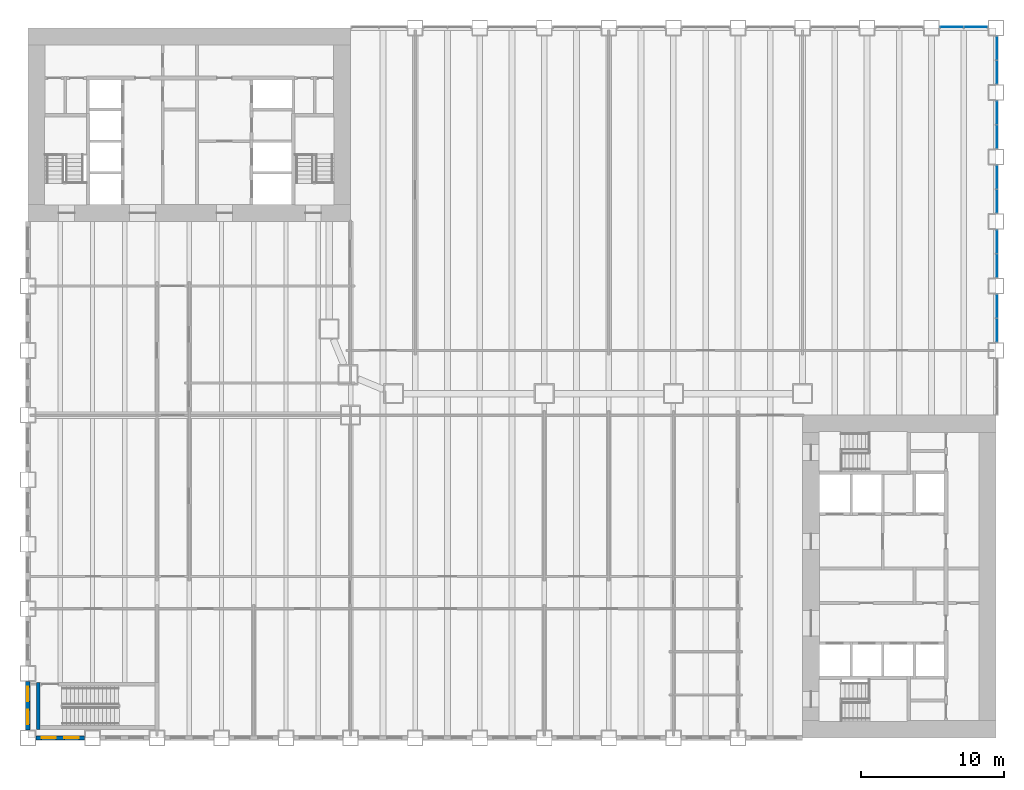
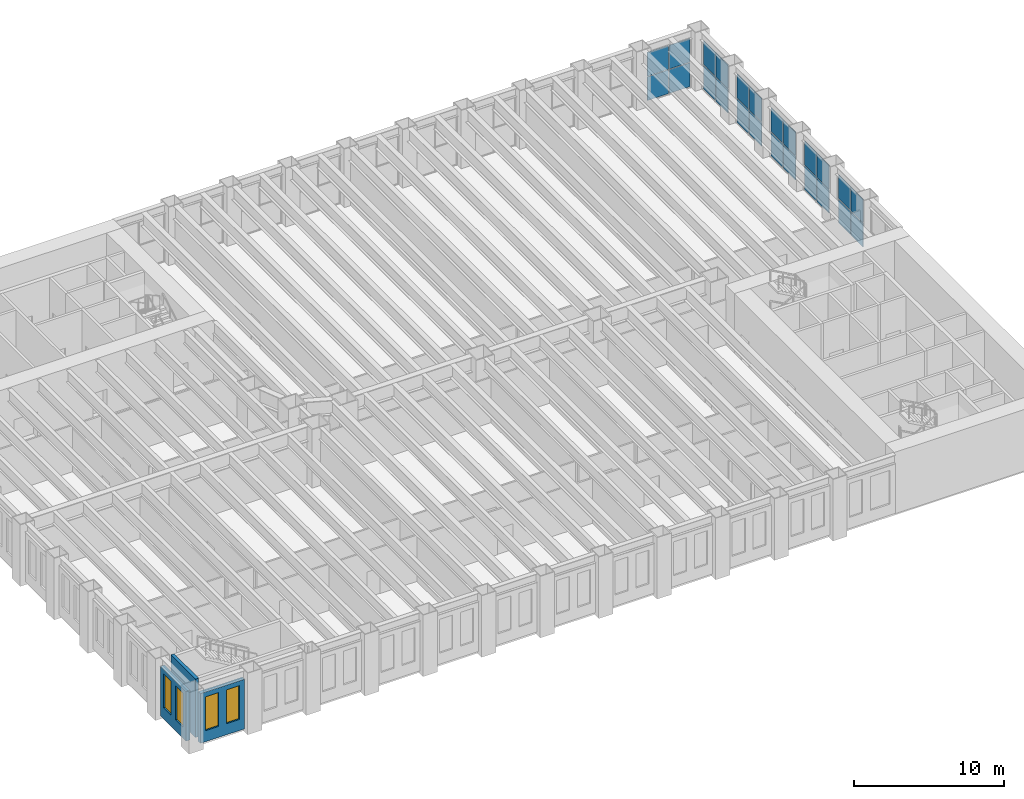
# One storey, part 8 of 19: 24 plates, 4 windows, 3 walls, 4 openings, 6 elements without a shape of their own.
"""IFC4 building model written with IfcOpenShell, lengths in metres."""

from ifc_helpers import new_model, si_unit, direction, frame, frame_2d, origin, origin_2d, place, context, subcontext, project, spatial, rectangle, extrude, material, layer, layer_set, type_object, element, fill, aggregate, save


model = new_model("IFC4")

# Units and contexts
model_context = context("Model", 3, precision=1e-05, world=origin(), true_north=direction((0.0, 1.0)))
body_context = subcontext(model_context, "Body", "Model", "MODEL_VIEW")
ifc_project = project(units=[si_unit("LENGTHUNIT", "METRE"), si_unit("AREAUNIT", "SQUARE_METRE"), si_unit("VOLUMEUNIT", "CUBIC_METRE"), si_unit("PLANEANGLEUNIT", "RADIAN"), si_unit("MASSUNIT", "GRAM", prefix="KILO")], contexts=[model_context])

# Site, building, storey
site_placement = place(None, origin())
site = spatial("IfcSite", under=ifc_project, at=site_placement, CompositionType="ELEMENT")
building_placement = place(site_placement, origin())
building = spatial("IfcBuilding", under=site, at=building_placement, Name="Sennacour Bend Tower", CompositionType="ELEMENT")
storey_placement = place(building_placement, frame((0.0, 0.0, 19.0)))
storey = spatial("IfcBuildingStorey", under=building, at=storey_placement, Name="L03", CompositionType="ELEMENT", Elevation=19.0)

# Curtain wall, plates
ifc_material_1 = material(Name="Bronze anodised aluminium curtain wall with clear glass", Category="aluminium")
curtain_wall_type = type_object("IfcCurtainWallType", Name="CURTAIN WALL NOTCH", PredefinedType="NOTDEFINED", material=ifc_material_1)
curtain_wall_1_placement = place(storey_placement, origin())
curtain_wall_1 = element("IfcCurtainWall", 1, at=curtain_wall_1_placement, inside=storey, type_object=curtain_wall_type, Name="Podium glass wall L03", PredefinedType="NOTDEFINED")
ifc_material_2 = material(Name="Clear low-emissivity glass", Category="glass")
ifc_layer_1 = layer(ifc_material_2, 0.031982421875, Name="Clear low-emissivity glass", Category="glass")
ifc_layer_set_1 = layer_set([ifc_layer_1], Name="Clear low-emissivity glass")
plate_type = type_object("IfcPlateType", Name="PNL-GLASS-IGU32", PredefinedType="CURTAIN_PANEL", material=ifc_layer_set_1)
plate_1_placement = place(storey_placement, frame((67.550048828125, 28.4150390625, 0.06005859375), z_axis=(0.0, 0.0, 1.0), x_axis=(0.0, 1.0, 0.0)))
plate_1 = element("IfcPlate", 2, at=plate_1_placement, type_object=plate_type, Name="GW2 curtain wall panel 1.1", PredefinedType="CURTAIN_PANEL", context=body_context, shape_type="SweptSolid", body=[
    extrude(rectangle(XDim=1.610107421875, YDim=0.031982421875, at=origin_2d()), origin(), (0.0, 0.0, 1.0), 1.927978515625),
])
plate_2_placement = place(storey_placement, frame((67.550048828125, 28.4150390625, 2.0478515625), z_axis=(0.0, 0.0, 1.0), x_axis=(0.0, 1.0, 0.0)))
plate_2 = element("IfcPlate", 3, at=plate_2_placement, type_object=plate_type, Name="GW2 curtain wall panel 1.2", PredefinedType="CURTAIN_PANEL", context=body_context, shape_type="SweptSolid", body=[
    extrude(rectangle(XDim=1.610107421875, YDim=0.031982421875, at=origin_2d()), origin(), (0.0, 0.0, 1.0), 1.927978515625),
])
plate_3_placement = place(storey_placement, frame((67.550048828125, 30.0849609375, 0.06005859375), z_axis=(0.0, 0.0, 1.0), x_axis=(0.0, 1.0, 0.0)))
plate_3 = element("IfcPlate", 4, at=plate_3_placement, type_object=plate_type, Name="GW2 curtain wall panel 2.1", PredefinedType="CURTAIN_PANEL", context=body_context, shape_type="SweptSolid", body=[
    extrude(rectangle(XDim=1.610107421875, YDim=0.031982421875, at=origin_2d()), origin(), (0.0, 0.0, 1.0), 1.927978515625),
])
plate_4_placement = place(storey_placement, frame((67.550048828125, 30.0849609375, 2.0478515625), z_axis=(0.0, 0.0, 1.0), x_axis=(0.0, 1.0, 0.0)))
plate_4 = element("IfcPlate", 5, at=plate_4_placement, type_object=plate_type, Name="GW2 curtain wall panel 2.2", PredefinedType="CURTAIN_PANEL", context=body_context, shape_type="SweptSolid", body=[
    extrude(rectangle(XDim=1.610107421875, YDim=0.031982421875, at=origin_2d()), origin(), (0.0, 0.0, 1.0), 1.927978515625),
])
aggregate(curtain_wall_1, [plate_1, plate_2, plate_3, plate_4])

curtain_wall_2_placement = place(storey_placement, origin())
curtain_wall_2 = element("IfcCurtainWall", 6, at=curtain_wall_2_placement, inside=storey, type_object=curtain_wall_type, Name="Podium glass wall L03", PredefinedType="NOTDEFINED")
plate_5_placement = place(storey_placement, frame((67.550048828125, 32.9150390625, 0.06005859375), z_axis=(0.0, 0.0, 1.0), x_axis=(0.0, 1.0, 0.0)))
plate_5 = element("IfcPlate", 7, at=plate_5_placement, type_object=plate_type, Name="GW2 curtain wall panel 1.1", PredefinedType="CURTAIN_PANEL", context=body_context, shape_type="SweptSolid", body=[
    extrude(rectangle(XDim=1.610107421875, YDim=0.031982421875, at=origin_2d()), origin(), (0.0, 0.0, 1.0), 1.927978515625),
])
plate_6_placement = place(storey_placement, frame((67.550048828125, 32.9150390625, 2.0478515625), z_axis=(0.0, 0.0, 1.0), x_axis=(0.0, 1.0, 0.0)))
plate_6 = element("IfcPlate", 8, at=plate_6_placement, type_object=plate_type, Name="GW2 curtain wall panel 1.2", PredefinedType="CURTAIN_PANEL", context=body_context, shape_type="SweptSolid", body=[
    extrude(rectangle(XDim=1.610107421875, YDim=0.031982421875, at=origin_2d()), origin(), (0.0, 0.0, 1.0), 1.927978515625),
])
plate_7_placement = place(storey_placement, frame((67.550048828125, 34.5849609375, 0.06005859375), z_axis=(0.0, 0.0, 1.0), x_axis=(0.0, 1.0, 0.0)))
plate_7 = element("IfcPlate", 9, at=plate_7_placement, type_object=plate_type, Name="GW2 curtain wall panel 2.1", PredefinedType="CURTAIN_PANEL", context=body_context, shape_type="SweptSolid", body=[
    extrude(rectangle(XDim=1.610107421875, YDim=0.031982421875, at=origin_2d()), origin(), (0.0, 0.0, 1.0), 1.927978515625),
])
plate_8_placement = place(storey_placement, frame((67.550048828125, 34.5849609375, 2.0478515625), z_axis=(0.0, 0.0, 1.0), x_axis=(0.0, 1.0, 0.0)))
plate_8 = element("IfcPlate", 10, at=plate_8_placement, type_object=plate_type, Name="GW2 curtain wall panel 2.2", PredefinedType="CURTAIN_PANEL", context=body_context, shape_type="SweptSolid", body=[
    extrude(rectangle(XDim=1.610107421875, YDim=0.031982421875, at=origin_2d()), origin(), (0.0, 0.0, 1.0), 1.927978515625),
])
aggregate(curtain_wall_2, [plate_5, plate_6, plate_7, plate_8])

curtain_wall_3_placement = place(storey_placement, origin())
curtain_wall_3 = element("IfcCurtainWall", 11, at=curtain_wall_3_placement, inside=storey, type_object=curtain_wall_type, Name="Podium glass wall L03", PredefinedType="NOTDEFINED")
plate_9_placement = place(storey_placement, frame((67.550048828125, 37.4150390625, 0.06005859375), z_axis=(0.0, 0.0, 1.0), x_axis=(0.0, 1.0, 0.0)))
plate_9 = element("IfcPlate", 12, at=plate_9_placement, type_object=plate_type, Name="GW2 curtain wall panel 1.1", PredefinedType="CURTAIN_PANEL", context=body_context, shape_type="SweptSolid", body=[
    extrude(rectangle(XDim=1.610107421875, YDim=0.031982421875, at=origin_2d()), origin(), (0.0, 0.0, 1.0), 1.927978515625),
])
plate_10_placement = place(storey_placement, frame((67.550048828125, 37.4150390625, 2.0478515625), z_axis=(0.0, 0.0, 1.0), x_axis=(0.0, 1.0, 0.0)))
plate_10 = element("IfcPlate", 13, at=plate_10_placement, type_object=plate_type, Name="GW2 curtain wall panel 1.2", PredefinedType="CURTAIN_PANEL", context=body_context, shape_type="SweptSolid", body=[
    extrude(rectangle(XDim=1.610107421875, YDim=0.031982421875, at=origin_2d()), origin(), (0.0, 0.0, 1.0), 1.927978515625),
])
plate_11_placement = place(storey_placement, frame((67.550048828125, 39.0849609375, 0.06005859375), z_axis=(0.0, 0.0, 1.0), x_axis=(0.0, 1.0, 0.0)))
plate_11 = element("IfcPlate", 14, at=plate_11_placement, type_object=plate_type, Name="GW2 curtain wall panel 2.1", PredefinedType="CURTAIN_PANEL", context=body_context, shape_type="SweptSolid", body=[
    extrude(rectangle(XDim=1.610107421875, YDim=0.031982421875, at=origin_2d()), origin(), (0.0, 0.0, 1.0), 1.927978515625),
])
plate_12_placement = place(storey_placement, frame((67.550048828125, 39.0849609375, 2.0478515625), z_axis=(0.0, 0.0, 1.0), x_axis=(0.0, 1.0, 0.0)))
plate_12 = element("IfcPlate", 15, at=plate_12_placement, type_object=plate_type, Name="GW2 curtain wall panel 2.2", PredefinedType="CURTAIN_PANEL", context=body_context, shape_type="SweptSolid", body=[
    extrude(rectangle(XDim=1.610107421875, YDim=0.031982421875, at=origin_2d()), origin(), (0.0, 0.0, 1.0), 1.927978515625),
])
aggregate(curtain_wall_3, [plate_9, plate_10, plate_11, plate_12])

curtain_wall_4_placement = place(storey_placement, origin())
curtain_wall_4 = element("IfcCurtainWall", 16, at=curtain_wall_4_placement, inside=storey, type_object=curtain_wall_type, Name="Podium glass wall L03", PredefinedType="NOTDEFINED")
plate_13_placement = place(storey_placement, frame((67.550048828125, 41.9150390625, 0.06005859375), z_axis=(0.0, 0.0, 1.0), x_axis=(0.0, 1.0, 0.0)))
plate_13 = element("IfcPlate", 17, at=plate_13_placement, type_object=plate_type, Name="GW2 curtain wall panel 1.1", PredefinedType="CURTAIN_PANEL", context=body_context, shape_type="SweptSolid", body=[
    extrude(rectangle(XDim=1.610107421875, YDim=0.031982421875, at=origin_2d()), origin(), (0.0, 0.0, 1.0), 1.927978515625),
])
plate_14_placement = place(storey_placement, frame((67.550048828125, 41.9150390625, 2.0478515625), z_axis=(0.0, 0.0, 1.0), x_axis=(0.0, 1.0, 0.0)))
plate_14 = element("IfcPlate", 18, at=plate_14_placement, type_object=plate_type, Name="GW2 curtain wall panel 1.2", PredefinedType="CURTAIN_PANEL", context=body_context, shape_type="SweptSolid", body=[
    extrude(rectangle(XDim=1.610107421875, YDim=0.031982421875, at=origin_2d()), origin(), (0.0, 0.0, 1.0), 1.927978515625),
])
plate_15_placement = place(storey_placement, frame((67.550048828125, 43.5849609375, 0.06005859375), z_axis=(0.0, 0.0, 1.0), x_axis=(0.0, 1.0, 0.0)))
plate_15 = element("IfcPlate", 19, at=plate_15_placement, type_object=plate_type, Name="GW2 curtain wall panel 2.1", PredefinedType="CURTAIN_PANEL", context=body_context, shape_type="SweptSolid", body=[
    extrude(rectangle(XDim=1.610107421875, YDim=0.031982421875, at=origin_2d()), origin(), (0.0, 0.0, 1.0), 1.927978515625),
])
plate_16_placement = place(storey_placement, frame((67.550048828125, 43.5849609375, 2.0478515625), z_axis=(0.0, 0.0, 1.0), x_axis=(0.0, 1.0, 0.0)))
plate_16 = element("IfcPlate", 20, at=plate_16_placement, type_object=plate_type, Name="GW2 curtain wall panel 2.2", PredefinedType="CURTAIN_PANEL", context=body_context, shape_type="SweptSolid", body=[
    extrude(rectangle(XDim=1.610107421875, YDim=0.031982421875, at=origin_2d()), origin(), (0.0, 0.0, 1.0), 1.927978515625),
])
aggregate(curtain_wall_4, [plate_13, plate_14, plate_15, plate_16])

curtain_wall_5_placement = place(storey_placement, origin())
curtain_wall_5 = element("IfcCurtainWall", 21, at=curtain_wall_5_placement, inside=storey, type_object=curtain_wall_type, Name="Podium glass wall L03", PredefinedType="NOTDEFINED")
plate_17_placement = place(storey_placement, frame((67.550048828125, 46.4150390625, 0.06005859375), z_axis=(0.0, 0.0, 1.0), x_axis=(0.0, 1.0, 0.0)))
plate_17 = element("IfcPlate", 22, at=plate_17_placement, type_object=plate_type, Name="GW2 curtain wall panel 1.1", PredefinedType="CURTAIN_PANEL", context=body_context, shape_type="SweptSolid", body=[
    extrude(rectangle(XDim=1.610107421875, YDim=0.031982421875, at=origin_2d()), origin(), (0.0, 0.0, 1.0), 1.927978515625),
])
plate_18_placement = place(storey_placement, frame((67.550048828125, 46.4150390625, 2.0478515625), z_axis=(0.0, 0.0, 1.0), x_axis=(0.0, 1.0, 0.0)))
plate_18 = element("IfcPlate", 23, at=plate_18_placement, type_object=plate_type, Name="GW2 curtain wall panel 1.2", PredefinedType="CURTAIN_PANEL", context=body_context, shape_type="SweptSolid", body=[
    extrude(rectangle(XDim=1.610107421875, YDim=0.031982421875, at=origin_2d()), origin(), (0.0, 0.0, 1.0), 1.927978515625),
])
plate_19_placement = place(storey_placement, frame((67.550048828125, 48.0849609375, 0.06005859375), z_axis=(0.0, 0.0, 1.0), x_axis=(0.0, 1.0, 0.0)))
plate_19 = element("IfcPlate", 24, at=plate_19_placement, type_object=plate_type, Name="GW2 curtain wall panel 2.1", PredefinedType="CURTAIN_PANEL", context=body_context, shape_type="SweptSolid", body=[
    extrude(rectangle(XDim=1.610107421875, YDim=0.031982421875, at=origin_2d()), origin(), (0.0, 0.0, 1.0), 1.927978515625),
])
plate_20_placement = place(storey_placement, frame((67.550048828125, 48.0849609375, 2.0478515625), z_axis=(0.0, 0.0, 1.0), x_axis=(0.0, 1.0, 0.0)))
plate_20 = element("IfcPlate", 25, at=plate_20_placement, type_object=plate_type, Name="GW2 curtain wall panel 2.2", PredefinedType="CURTAIN_PANEL", context=body_context, shape_type="SweptSolid", body=[
    extrude(rectangle(XDim=1.610107421875, YDim=0.031982421875, at=origin_2d()), origin(), (0.0, 0.0, 1.0), 1.927978515625),
])
aggregate(curtain_wall_5, [plate_17, plate_18, plate_19, plate_20])

curtain_wall_6_placement = place(storey_placement, origin())
curtain_wall_6 = element("IfcCurtainWall", 26, at=curtain_wall_6_placement, inside=storey, type_object=curtain_wall_type, Name="Podium glass wall L03", PredefinedType="NOTDEFINED")
plate_21_placement = place(storey_placement, frame((66.0849609375, 49.550048828125, 0.06005859375), z_axis=(0.0, 0.0, 1.0), x_axis=(-1.0, 0.0, 0.0)))
plate_21 = element("IfcPlate", 27, at=plate_21_placement, type_object=plate_type, Name="GW2 curtain wall panel 1.1", PredefinedType="CURTAIN_PANEL", context=body_context, shape_type="SweptSolid", body=[
    extrude(rectangle(XDim=1.610107421875, YDim=0.031982421875, at=origin_2d()), origin(), (0.0, 0.0, 1.0), 1.927978515625),
])
plate_22_placement = place(storey_placement, frame((66.0849609375, 49.550048828125, 2.0478515625), z_axis=(0.0, 0.0, 1.0), x_axis=(-1.0, 0.0, 0.0)))
plate_22 = element("IfcPlate", 28, at=plate_22_placement, type_object=plate_type, Name="GW2 curtain wall panel 1.2", PredefinedType="CURTAIN_PANEL", context=body_context, shape_type="SweptSolid", body=[
    extrude(rectangle(XDim=1.610107421875, YDim=0.031982421875, at=origin_2d()), origin(), (0.0, 0.0, 1.0), 1.927978515625),
])
plate_23_placement = place(storey_placement, frame((64.4150390625, 49.550048828125, 0.06005859375), z_axis=(0.0, 0.0, 1.0), x_axis=(-1.0, 0.0, 0.0)))
plate_23 = element("IfcPlate", 29, at=plate_23_placement, type_object=plate_type, Name="GW2 curtain wall panel 2.1", PredefinedType="CURTAIN_PANEL", context=body_context, shape_type="SweptSolid", body=[
    extrude(rectangle(XDim=1.610107421875, YDim=0.031982421875, at=origin_2d()), origin(), (0.0, 0.0, 1.0), 1.927978515625),
])
plate_24_placement = place(storey_placement, frame((64.4150390625, 49.550048828125, 2.0478515625), z_axis=(0.0, 0.0, 1.0), x_axis=(-1.0, 0.0, 0.0)))
plate_24 = element("IfcPlate", 30, at=plate_24_placement, type_object=plate_type, Name="GW2 curtain wall panel 2.2", PredefinedType="CURTAIN_PANEL", context=body_context, shape_type="SweptSolid", body=[
    extrude(rectangle(XDim=1.610107421875, YDim=0.031982421875, at=origin_2d()), origin(), (0.0, 0.0, 1.0), 1.927978515625),
])
aggregate(curtain_wall_6, [plate_21, plate_22, plate_23, plate_24])

# Wall, openings, windows
ifc_material_3 = material(Name="Warm limestone cladding", Category="masonry")
ifc_layer_2 = layer(ifc_material_3, 0.050048828125, Name="Warm limestone cladding", Category="masonry")
ifc_material_4 = material(Name="Precast concrete C40/50", Category="concrete")
ifc_layer_3 = layer(ifc_material_4, 0.25, Name="Precast concrete C40/50", Category="concrete")
ifc_layer_set_2 = layer_set([ifc_layer_2, ifc_layer_3], Name="Precast concrete C40/50 with limestone cladding")
wall_type_1 = type_object("IfcWallType", Name="STONE-CLAD PRECAST SPANDREL 300", PredefinedType="STANDARD", material=ifc_layer_set_2)
wall_1_placement = place(storey_placement, frame((0.0, 3.949951171875, 0.0), z_axis=(0.0, 0.0, 1.0), x_axis=(0.0, -1.0, 0.0)))
wall_1 = element("IfcWall", 31, at=wall_1_placement, inside=storey, type_object=wall_type_1, Name="Stone spandrel and pier wall L03 02.07", PredefinedType="STANDARD", context=body_context, shape_type="SweptSolid", body=[
    extrude(rectangle(XDim=3.39990234375, YDim=0.300048828125, at=frame_2d((1.699951171875, 0.0))), origin(), (0.0, 0.0, 1.0), 4.035888671875),
])
opening_1_placement = place(wall_1_placement, frame((0.39990234375, 0.0, 0.89990234375)))
opening_1 = element("IfcOpeningElement", 32, at=opening_1_placement, cuts=wall_1, Name="Opening W3", PredefinedType="OPENING", context=body_context, shape_type="SweptSolid", body=[
    extrude(rectangle(XDim=1.0, YDim=2.75, at=frame_2d((0.5, 1.375))), frame((0.0, 0.16015625, 0.0), z_axis=(0.0, -1.0, 0.0), x_axis=(1.0, 0.0, 0.0)), (0.0, 0.0, 1.0), 0.320068359375),
])
opening_2_placement = place(wall_1_placement, frame((2.0, 0.0, 0.89990234375)))
opening_2 = element("IfcOpeningElement", 33, at=opening_2_placement, cuts=wall_1, Name="Opening W3", PredefinedType="OPENING", context=body_context, shape_type="SweptSolid", body=[
    extrude(rectangle(XDim=1.0, YDim=2.75, at=frame_2d((0.5, 1.375))), frame((0.0, 0.16015625, 0.0), z_axis=(0.0, -1.0, 0.0), x_axis=(1.0, 0.0, 0.0)), (0.0, 0.0, 1.0), 0.320068359375),
])
window_type = type_object("IfcWindowType", Name="WIN-RIBBON-1000x2750", PartitioningType="SINGLE_PANEL", PredefinedType="WINDOW", material=ifc_material_2)
window_1_placement = place(opening_1_placement, origin())
window_1 = element("IfcWindow", 34, at=window_1_placement, inside=storey, type_object=window_type, Name="Ribbon window L03 02.07.0", OverallHeight=2.75, OverallWidth=1.0, PartitioningType="SINGLE_PANEL", PredefinedType="WINDOW", context=body_context, shape_type="SweptSolid", body=[
    extrude(rectangle(XDim=1.0, YDim=2.75, at=frame_2d((0.5, 1.375))), frame((0.0, 0.030029296875, 0.0), z_axis=(0.0, -1.0, 0.0), x_axis=(1.0, 0.0, 0.0)), (0.0, 0.0, 1.0), 0.06005859375),
])
fill(opening_1, window_1)
window_2_placement = place(opening_2_placement, origin())
window_2 = element("IfcWindow", 35, at=window_2_placement, inside=storey, type_object=window_type, Name="Ribbon window L03 02.07.1", OverallHeight=2.75, OverallWidth=1.0, PartitioningType="SINGLE_PANEL", PredefinedType="WINDOW", context=body_context, shape_type="SweptSolid", body=[
    extrude(rectangle(XDim=1.0, YDim=2.75, at=frame_2d((0.5, 1.375))), frame((0.0, 0.030029296875, 0.0), z_axis=(0.0, -1.0, 0.0), x_axis=(1.0, 0.0, 0.0)), (0.0, 0.0, 1.0), 0.06005859375),
])
fill(opening_2, window_2)

wall_2_placement = place(storey_placement, frame((0.550048828125, 0.0, 0.0), z_axis=(0.0, 0.0, 1.0), x_axis=(1.0, 0.0, 0.0)))
wall_2 = element("IfcWall", 36, at=wall_2_placement, inside=storey, type_object=wall_type_1, Name="Stone spandrel and pier wall L03 03.00", PredefinedType="STANDARD", context=body_context, shape_type="SweptSolid", body=[
    extrude(rectangle(XDim=3.39990234375, YDim=0.300048828125, at=frame_2d((1.699951171875, 0.0))), origin(), (0.0, 0.0, 1.0), 4.035888671875),
])
opening_3_placement = place(wall_2_placement, frame((0.39990234375, 0.0, 0.89990234375)))
opening_3 = element("IfcOpeningElement", 37, at=opening_3_placement, cuts=wall_2, Name="Opening W3", PredefinedType="OPENING", context=body_context, shape_type="SweptSolid", body=[
    extrude(rectangle(XDim=1.0, YDim=2.75, at=frame_2d((0.5, 1.375))), frame((0.0, 0.16015625, 0.0), z_axis=(0.0, -1.0, 0.0), x_axis=(1.0, 0.0, 0.0)), (0.0, 0.0, 1.0), 0.320068359375),
])
opening_4_placement = place(wall_2_placement, frame((2.0, 0.0, 0.89990234375)))
opening_4 = element("IfcOpeningElement", 38, at=opening_4_placement, cuts=wall_2, Name="Opening W3", PredefinedType="OPENING", context=body_context, shape_type="SweptSolid", body=[
    extrude(rectangle(XDim=1.0, YDim=2.75, at=frame_2d((0.5, 1.375))), frame((0.0, 0.16015625, 0.0), z_axis=(0.0, -1.0, 0.0), x_axis=(1.0, 0.0, 0.0)), (0.0, 0.0, 1.0), 0.320068359375),
])
window_3_placement = place(opening_3_placement, origin())
window_3 = element("IfcWindow", 39, at=window_3_placement, inside=storey, type_object=window_type, Name="Ribbon window L03 03.00.0", OverallHeight=2.75, OverallWidth=1.0, PartitioningType="SINGLE_PANEL", PredefinedType="WINDOW", context=body_context, shape_type="SweptSolid", body=[
    extrude(rectangle(XDim=1.0, YDim=2.75, at=frame_2d((0.5, 1.375))), frame((0.0, 0.030029296875, 0.0), z_axis=(0.0, -1.0, 0.0), x_axis=(1.0, 0.0, 0.0)), (0.0, 0.0, 1.0), 0.06005859375),
])
fill(opening_3, window_3)
window_4_placement = place(opening_4_placement, origin())
window_4 = element("IfcWindow", 40, at=window_4_placement, inside=storey, type_object=window_type, Name="Ribbon window L03 03.00.1", OverallHeight=2.75, OverallWidth=1.0, PartitioningType="SINGLE_PANEL", PredefinedType="WINDOW", context=body_context, shape_type="SweptSolid", body=[
    extrude(rectangle(XDim=1.0, YDim=2.75, at=frame_2d((0.5, 1.375))), frame((0.0, 0.030029296875, 0.0), z_axis=(0.0, -1.0, 0.0), x_axis=(1.0, 0.0, 0.0)), (0.0, 0.0, 1.0), 0.06005859375),
])
fill(opening_4, window_4)

# Wall
ifc_material_5 = material(Name="Concrete C60/75", Category="concrete")
ifc_layer_4 = layer(ifc_material_5, 0.25, Name="Concrete C60/75", Category="concrete")
ifc_layer_set_3 = layer_set([ifc_layer_4], Name="Concrete C60/75")
wall_type_2 = type_object("IfcWallType", Name="Stair wall 250", PredefinedType="SHEAR", material=ifc_layer_set_3)
wall_3_placement = place(storey_placement, frame((0.72509765625, 0.60009765625, 0.0), z_axis=(0.0, 0.0, 1.0), x_axis=(0.0, 1.0, 0.0)))
element("IfcWall", 41, at=wall_3_placement, inside=storey, type_object=wall_type_2, Name="P-L03-W002", PredefinedType="SHEAR", context=body_context, shape_type="SweptSolid", body=[
    extrude(rectangle(XDim=3.27490234375, YDim=0.25, at=frame_2d((1.637451171875, 0.0))), origin(), (0.0, 0.0, 1.0), 4.75),
])

save(model, "model.ifc")
